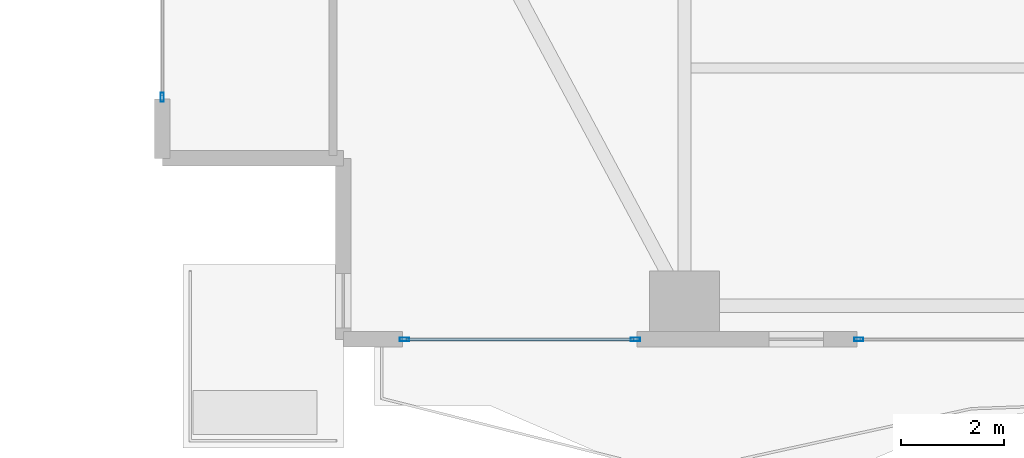
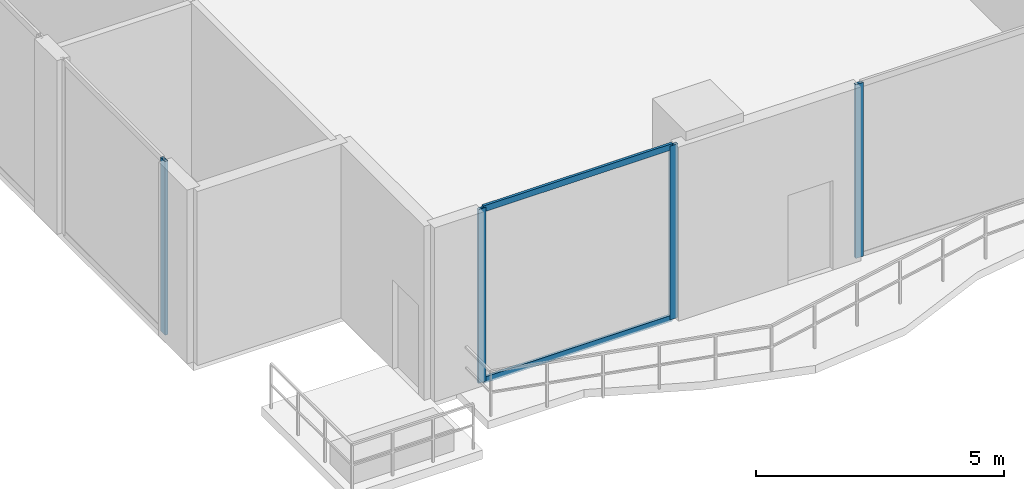
# One storey, part 2 of 33: 6 members, 3 elements without a shape of their own.
"""IFC4 building model written with IfcOpenShell, lengths in metres."""

from ifc_helpers import new_model, si_unit, direction, frame, origin, origin_2d, place, context, subcontext, project, spatial, hollow_rectangle, extrude, material, layer, layer_set, material_profile, profile_set, type_object, element, aggregate, save


model = new_model("IFC4")

# Units and contexts
model_context = context("Model", 3, precision=1e-05, world=origin(), true_north=direction((0.0, 1.0)))
body_context = subcontext(model_context, "Body", "Model", "MODEL_VIEW")
ifc_project = project(units=[si_unit("LENGTHUNIT", "METRE"), si_unit("AREAUNIT", "SQUARE_METRE"), si_unit("VOLUMEUNIT", "CUBIC_METRE"), si_unit("PLANEANGLEUNIT", "RADIAN"), si_unit("MASSUNIT", "GRAM", prefix="KILO")], contexts=[model_context])

# Site, building, storey
site_placement = place(None, origin())
site = spatial("IfcSite", under=ifc_project, at=site_placement, CompositionType="ELEMENT")
building_placement = place(site_placement, origin())
building = spatial("IfcBuilding", under=site, at=building_placement, Name="Zuhayl Quay Hotel", CompositionType="ELEMENT")
storey_placement = place(building_placement, frame((0.0, 0.0, 154.050048828125)))
storey = spatial("IfcBuildingStorey", under=building, at=storey_placement, Name="L39", CompositionType="ELEMENT", Elevation=154.050048828125)

# Curtain wall, member
ifc_material_1 = material(Name="Anodised Aluminium 6063-T6", Category="aluminium")
ifc_layer = layer(ifc_material_1, 0.179931640625, Name="Anodised Aluminium 6063-T6", Category="aluminium")
ifc_layer_set = layer_set([ifc_layer], Name="Anodised Aluminium 6063-T6")
curtain_wall_type = type_object("IfcCurtainWallType", Name="CW_SYS_Z2", PredefinedType="USERDEFINED", material=ifc_layer_set)
curtain_wall_1_placement = place(storey_placement, origin())
curtain_wall_1 = element("IfcCurtainWall", 1, at=curtain_wall_1_placement, inside=storey, type_object=curtain_wall_type, Name="L39 Curtain Wall ENV_L39_E02_CW1", ObjectType="UNITISED CURTAIN WALL", PredefinedType="USERDEFINED")
ifc_material_2 = material(Name="Black-anodised aluminium 6063-T6", Category="aluminium")
ifc_material_profile_1 = material_profile(ifc_material_2, hollow_rectangle(XDim=0.06494140625, YDim=0.179931640625, WallThickness=0.00341796875, at=origin_2d()), Name="ALU180X65")
ifc_profile_set_1 = profile_set([ifc_material_profile_1], Name="Black-anodised aluminium 6063-T6")
member_type_1 = type_object("IfcMemberType", Name="MB_CW_MUL_180", PredefinedType="MULLION", material=ifc_profile_set_1)
member_1_placement = place(storey_placement, frame((-23.89990234375, -10.717529296875, 0.0), z_axis=(0.0, 0.0, 1.0), x_axis=(-1.0, 0.0, 0.0)))
member_1 = element("IfcMember", 2, at=member_1_placement, type_object=member_type_1, Name="CW-Z2 mullion 1", PredefinedType="MULLION", context=body_context, shape_type="SweptSolid", body=[
    extrude(hollow_rectangle(XDim=0.06494140625, YDim=0.179931640625, WallThickness=0.00341796875, at=origin_2d()), origin(), (0.0, 0.0, 1.0), 4.280029296875),
])
aggregate(curtain_wall_1, [member_1])

curtain_wall_2_placement = place(storey_placement, origin())
curtain_wall_2 = element("IfcCurtainWall", 3, at=curtain_wall_2_placement, inside=storey, type_object=curtain_wall_type, Name="L39 Curtain Wall ENV_L39_S_CW4", ObjectType="UNITISED CURTAIN WALL", PredefinedType="USERDEFINED")
member_2_placement = place(storey_placement, frame((-10.4326171875, -15.39990234375, 0.0), z_axis=(0.0, 0.0, 1.0), x_axis=(0.0, -1.0, 0.0)))
member_2 = element("IfcMember", 4, at=member_2_placement, type_object=member_type_1, Name="CW-Z2 mullion 2", PredefinedType="MULLION", context=body_context, shape_type="SweptSolid", body=[
    extrude(hollow_rectangle(XDim=0.06494140625, YDim=0.179931640625, WallThickness=0.00341796875, at=origin_2d()), origin(), (0.0, 0.0, 1.0), 4.280029296875),
])
aggregate(curtain_wall_2, [member_2])

# Curtain wall, members
curtain_wall_3_placement = place(storey_placement, origin())
curtain_wall_3 = element("IfcCurtainWall", 5, at=curtain_wall_3_placement, inside=storey, type_object=curtain_wall_type, Name="L39 Curtain Wall ENV_L39_S_CW5", ObjectType="UNITISED CURTAIN WALL", PredefinedType="USERDEFINED")
member_3_placement = place(storey_placement, frame((-14.75244140625, -15.39990234375, 0.0), z_axis=(0.0, 0.0, 1.0), x_axis=(0.0, -1.0, 0.0)))
member_3 = element("IfcMember", 6, at=member_3_placement, type_object=member_type_1, Name="CW-Z2 mullion 1", PredefinedType="MULLION", context=body_context, shape_type="SweptSolid", body=[
    extrude(hollow_rectangle(XDim=0.06494140625, YDim=0.179931640625, WallThickness=0.00341796875, at=origin_2d()), origin(), (0.0, 0.0, 1.0), 4.280029296875),
])
member_4_placement = place(storey_placement, frame((-19.217529296875, -15.39990234375, 0.0), z_axis=(0.0, 0.0, 1.0), x_axis=(0.0, -1.0, 0.0)))
member_4 = element("IfcMember", 7, at=member_4_placement, type_object=member_type_1, Name="CW-Z2 mullion 2", PredefinedType="MULLION", context=body_context, shape_type="SweptSolid", body=[
    extrude(hollow_rectangle(XDim=0.06494140625, YDim=0.179931640625, WallThickness=0.00341796875, at=origin_2d()), origin(), (0.0, 0.0, 1.0), 4.280029296875),
])
ifc_material_profile_2 = material_profile(ifc_material_2, hollow_rectangle(XDim=0.06005859375, YDim=0.14990234375, WallThickness=0.00341796875, at=origin_2d()), Name="ALU150X60")
ifc_profile_set_2 = profile_set([ifc_material_profile_2], Name="Black-anodised aluminium 6063-T6")
member_type_2 = type_object("IfcMemberType", Name="MB_CW_TRN_150", PredefinedType="USERDEFINED", material=ifc_profile_set_2)
member_5_placement = place(storey_placement, frame((-14.784912109375, -15.39990234375, 0.030029296875), z_axis=(-1.0, 0.0, 0.0), x_axis=(0.0, -1.0, 0.0)))
member_5 = element("IfcMember", 8, at=member_5_placement, type_object=member_type_2, Name="CW-Z2 transom 1.1", ObjectType="TRANSOM", PredefinedType="USERDEFINED", context=body_context, shape_type="SweptSolid", body=[
    extrude(hollow_rectangle(XDim=0.06005859375, YDim=0.14990234375, WallThickness=0.00341796875, at=origin_2d()), origin(), (0.0, 0.0, 1.0), 4.400146484375),
])
member_6_placement = place(storey_placement, frame((-14.784912109375, -15.39990234375, 4.25), z_axis=(-1.0, 0.0, 0.0), x_axis=(0.0, -1.0, 0.0)))
member_6 = element("IfcMember", 9, at=member_6_placement, type_object=member_type_2, Name="CW-Z2 transom 1.2", ObjectType="TRANSOM", PredefinedType="USERDEFINED", context=body_context, shape_type="SweptSolid", body=[
    extrude(hollow_rectangle(XDim=0.06005859375, YDim=0.14990234375, WallThickness=0.00341796875, at=origin_2d()), origin(), (0.0, 0.0, 1.0), 4.400146484375),
])
aggregate(curtain_wall_3, [member_3, member_4, member_5, member_6])

save(model, "model.ifc")
